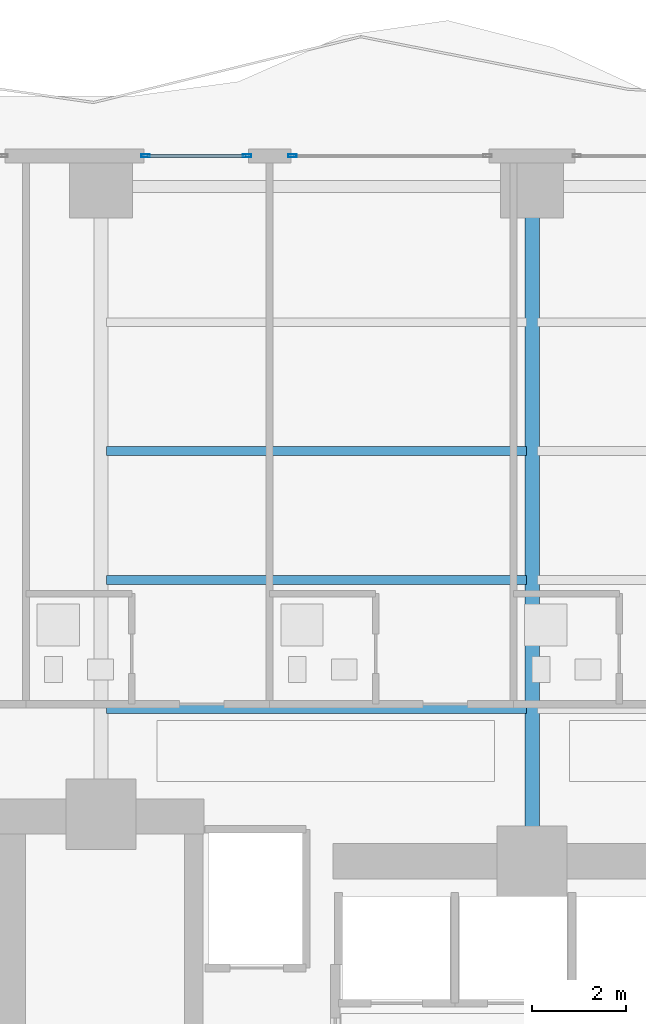
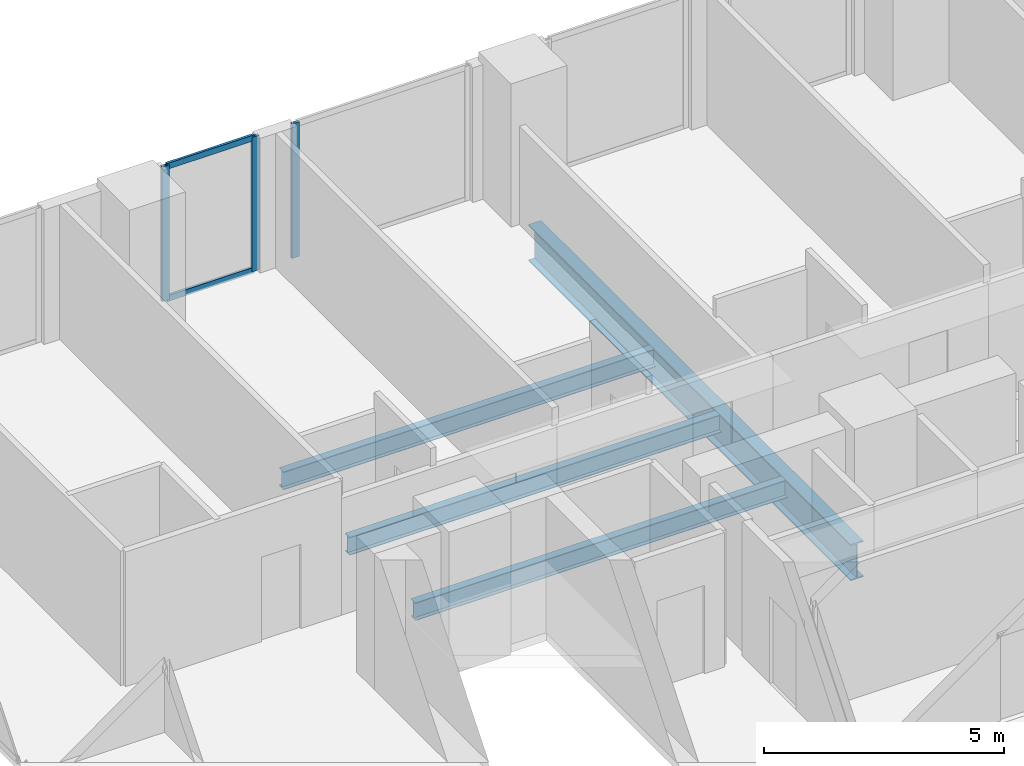
# One storey, part 15 of 29: 5 members, 4 beams, 2 elements without a shape of their own.
"""IFC4 building model written with IfcOpenShell, lengths in metres."""

import ifcopenshell
import ifcopenshell.guid

model = None  # the IFC model being written
_history = None  # IfcOwnerHistory: only IFC2X3 demands one
_inside = {}  # id of a spatial element -> (the spatial element, [elements in it])
_under = {}  # id of a project, library or spatial element -> (it, [spatial elements below it])
_declared = {}  # id of a project -> (the project, [libraries it declares])
_typed = {}  # id of a type object -> (the type object, [elements of that type])
_made_of = {}  # id of a material, layer set ... -> (it, [elements and type objects made of it])


def new_model(schema):
    """Start an empty IFC model of exactly this schema.

    Asked for "IFC4X3", IfcOpenShell would pick the latest addendum, in which some entities
    have other attributes; the version numbers below select the first issue.
    IFC2X3 requires an IfcOwnerHistory on every rooted entity: one is made here for all.
    """
    global model, _history
    if schema == "IFC4X3":
        model = ifcopenshell.file(schema_version=(4, 3, 0, 0))
    else:
        model = ifcopenshell.file(schema=schema)
    _inside.clear()
    _under.clear()
    _declared.clear()
    _typed.clear()
    _made_of.clear()
    _history = None
    if model.schema == "IFC2X3":
        org = make("IfcOrganization", Name="unknown")
        user = make(
            "IfcPersonAndOrganization",
            ThePerson=make("IfcPerson", FamilyName="unknown"),
            TheOrganization=org,
        )
        app = make(
            "IfcApplication",
            ApplicationDeveloper=org,
            Version="unknown",
            ApplicationFullName="unknown",
            ApplicationIdentifier="unknown",
        )
        _history = make(
            "IfcOwnerHistory",
            OwningUser=user,
            OwningApplication=app,
            ChangeAction="ADDED",
            CreationDate=0,
        )
    return model


def make(cls, **values):
    """One entity of the class cls with the attributes given. An attribute that is None is left unset."""
    return model.create_entity(
        cls, **{name: value for name, value in values.items() if value is not None}
    )


def rooted(cls, **values):
    """An entity with a GlobalId (a new one), such as an element, a storey or a relation."""
    return make(cls, GlobalId=ifcopenshell.guid.new(), OwnerHistory=_history, **values)


def si_unit(unit_type, name, prefix=None):
    """IfcSIUnit, for example si_unit("LENGTHUNIT", "METRE", prefix="MILLI")."""
    return make("IfcSIUnit", UnitType=unit_type, Prefix=prefix, Name=name)


def assignment(units):
    """IfcUnitAssignment: the units of a project."""
    return None if units is None else make("IfcUnitAssignment", Units=units)


def point(xyz):
    """IfcCartesianPoint."""
    return None if xyz is None else make("IfcCartesianPoint", Coordinates=xyz)


def direction(xyz):
    """IfcDirection."""
    return None if xyz is None else make("IfcDirection", DirectionRatios=xyz)


def frame(location, z_axis=None, x_axis=None):
    """IfcAxis2Placement3D, a coordinate frame: its origin and axes. An axis left out is left unset."""
    return make(
        "IfcAxis2Placement3D",
        Location=point(location),
        Axis=direction(z_axis),
        RefDirection=direction(x_axis),
    )


def frame_2d(location, x_axis=None):
    """IfcAxis2Placement2D, a coordinate frame in the plane: its origin and x axis."""
    return make(
        "IfcAxis2Placement2D", Location=point(location), RefDirection=direction(x_axis)
    )


def origin():
    """The frame at (0, 0, 0) with its axes left unset."""
    return frame((0.0, 0.0, 0.0))


def origin_2d():
    """The frame at (0, 0) in the plane with its x axis left unset."""
    return frame_2d((0.0, 0.0))


def place(relative_to, where):
    """IfcLocalPlacement: puts the frame where relative to a parent placement (None: the world)."""
    return make(
        "IfcLocalPlacement", PlacementRelTo=relative_to, RelativePlacement=where
    )


def context(
    kind, dimensions, precision=None, world=None, true_north=None, identifier=None
):
    """IfcGeometricRepresentationContext, for example the 3D "Model" context."""
    return make(
        "IfcGeometricRepresentationContext",
        ContextIdentifier=identifier,
        ContextType=kind,
        CoordinateSpaceDimension=dimensions,
        Precision=precision,
        WorldCoordinateSystem=world,
        TrueNorth=true_north,
    )


def subcontext(parent, identifier, kind, view, scale=None):
    """IfcGeometricRepresentationSubContext, for example "Body" below "Model"."""
    return make(
        "IfcGeometricRepresentationSubContext",
        ContextIdentifier=identifier,
        ContextType=kind,
        ParentContext=parent,
        TargetScale=scale,
        TargetView=view,
    )


def project(units=None, contexts=None):
    """IfcProject with its units and contexts."""
    return rooted(
        "IfcProject",
        Name="project",
        RepresentationContexts=contexts,
        UnitsInContext=assignment(units),
    )


def spatial(cls, under=None, at=None, **own):
    """A site, building, storey or space (cls), placed at a placement, below another one or the project."""
    s = rooted(cls, ObjectPlacement=at, **own)
    if under is not None:
        _under.setdefault(under.id(), (under, []))[1].append(s)
    return s


def profile(cls, at=None, kind="AREA", **sizes):
    """A parametric profile (cls). Its sizes go by their IFC names, for example OverallWidth=200.0."""
    return make(cls, ProfileType=kind, Position=at, **sizes)


def hollow_rectangle(**sizes):
    """IfcRectangleHollowProfileDef."""
    return profile("IfcRectangleHollowProfileDef", **sizes)


def i_section(**sizes):
    """IfcIShapeProfileDef."""
    return profile("IfcIShapeProfileDef", **sizes)


def extrude(swept, where, along, depth):
    """IfcExtrudedAreaSolid: the profile swept, set in the frame where, extruded along a direction by depth."""
    return make(
        "IfcExtrudedAreaSolid",
        SweptArea=swept,
        Position=where,
        ExtrudedDirection=direction(along),
        Depth=depth,
    )


def shape(context_of_items, identifier, shape_type, items):
    """IfcShapeRepresentation: the items that make up one representation, for example the "Body"."""
    return make(
        "IfcShapeRepresentation",
        ContextOfItems=context_of_items,
        RepresentationIdentifier=identifier,
        RepresentationType=shape_type,
        Items=items,
    )


def material(Name=None, Category=None):
    """IfcMaterial."""
    return make("IfcMaterial", Name=Name, Category=Category)


def layer(
    of_material, thickness, ventilated=None, Name=None, Category=None, Priority=None
):
    """IfcMaterialLayer: one layer of a wall or slab, of a material (None: an air gap)."""
    return make(
        "IfcMaterialLayer",
        Material=of_material,
        LayerThickness=thickness,
        IsVentilated=ventilated,
        Name=Name,
        Category=Category,
        Priority=Priority,
    )


def layer_set(layers, Name=None):
    """IfcMaterialLayerSet."""
    return make("IfcMaterialLayerSet", MaterialLayers=layers, LayerSetName=Name)


def material_profile(
    of_material, cross_section, Name=None, Category=None, Priority=None
):
    """IfcMaterialProfile: a cross section and its material."""
    return make(
        "IfcMaterialProfile",
        Name=Name,
        Material=of_material,
        Profile=cross_section,
        Priority=Priority,
        Category=Category,
    )


def profile_set(profiles, Name=None, composite=None):
    """IfcMaterialProfileSet."""
    return make(
        "IfcMaterialProfileSet",
        Name=Name,
        MaterialProfiles=profiles,
        CompositeProfile=composite,
    )


def made_of(thing, what):
    """Note that an element or type object is made of a material, layer set ...; save() writes the relation."""
    if what is not None:
        _made_of.setdefault(what.id(), (what, []))[1].append(thing)
    return thing


def type_object(cls, material=None, **own):
    """A type object (cls), such as IfcWallType, which elements share."""
    return made_of(rooted(cls, **own), material)


def element(
    cls,
    number,
    at=None,
    inside=None,
    cuts=None,
    type_object=None,
    material=None,
    context=None,
    identifier="Body",
    shape_type=None,
    held_by="IfcProductDefinitionShape",
    body=None,
    shapes=None,
    **own,
):
    """One element of the class cls, such as IfcWall. Its Tag is "e" and its number.

    at: its placement. inside: the storey or other place that contains it. cuts: it is an
    opening in that element (IfcRelVoidsElement). A single representation is given by context,
    identifier, shape_type and body (its items); several are given by shapes. held_by: the class
    of the entity that holds the representations. save() writes the other relations.
    """
    e = rooted(cls, Tag="e%d" % number, ObjectPlacement=at, **own)
    if body is not None:
        shapes = [shape(context, identifier, shape_type, body)]
    if shapes is not None:
        e.Representation = make(held_by, Representations=shapes)
    if inside is not None:
        _inside.setdefault(inside.id(), (inside, []))[1].append(e)
    if cuts is not None:
        rooted(
            "IfcRelVoidsElement", RelatingBuildingElement=cuts, RelatedOpeningElement=e
        )
    if type_object is not None:
        _typed.setdefault(type_object.id(), (type_object, []))[1].append(e)
    return made_of(e, material)


def aggregate(whole, parts):
    """IfcRelAggregates: a whole, such as a stair, and the parts it consists of."""
    return rooted("IfcRelAggregates", RelatingObject=whole, RelatedObjects=parts)


def save(model, path):
    """Write the relations noted so far, then the file.

    IfcRelAggregates (storeys below a building ...), IfcRelContainedInSpatialStructure (elements
    in a storey), IfcRelDefinesByType, IfcRelAssociatesMaterial and IfcRelDeclares: one each for
    every whole, place, type object, material and project.
    """
    for whole, parts in _under.values():
        aggregate(whole, parts)
    for where, things in _inside.values():
        rooted(
            "IfcRelContainedInSpatialStructure",
            RelatedElements=things,
            RelatingStructure=where,
        )
    for kind, things in _typed.values():
        rooted("IfcRelDefinesByType", RelatedObjects=things, RelatingType=kind)
    for what, things in _made_of.values():
        rooted("IfcRelAssociatesMaterial", RelatedObjects=things, RelatingMaterial=what)
    for by, libraries in _declared.values():
        rooted("IfcRelDeclares", RelatingContext=by, RelatedDefinitions=libraries)
    model.write(path)


model = new_model("IFC4")

# Units and contexts
model_context = context("Model", 3, precision=1e-05, world=origin(), true_north=direction((0.0, 1.0)))
body_context = subcontext(model_context, "Body", "Model", "MODEL_VIEW")
ifc_project = project(units=[si_unit("LENGTHUNIT", "METRE"), si_unit("AREAUNIT", "SQUARE_METRE"), si_unit("VOLUMEUNIT", "CUBIC_METRE"), si_unit("PLANEANGLEUNIT", "RADIAN"), si_unit("MASSUNIT", "GRAM", prefix="KILO")], contexts=[model_context])

# Site, building, storey
site_placement = place(None, origin())
site = spatial("IfcSite", under=ifc_project, at=site_placement, CompositionType="ELEMENT")
building_placement = place(site_placement, origin())
building = spatial("IfcBuilding", under=site, at=building_placement, Name="Zuhayl Quay Hotel", CompositionType="ELEMENT")
storey_placement = place(building_placement, frame((0.0, 0.0, 150.39990234375)))
storey = spatial("IfcBuildingStorey", under=building, at=storey_placement, Name="L38", CompositionType="ELEMENT", Elevation=150.39990234375)

# Beams
ifc_material_1 = material(Name="Steel ASTM A992 Grade 50", Category="steel")
ifc_material_profile_1 = material_profile(ifc_material_1, i_section(OverallWidth=0.18994140625, OverallDepth=0.45703125, WebThickness=0.009033203125, FlangeThickness=0.014404296875, at=origin_2d()), Name="W18X50")
ifc_profile_set_1 = profile_set([ifc_material_profile_1], Name="Steel ASTM A992 Grade 50")
beam_type_1 = type_object("IfcBeamType", Name="BM_J2_W18X50", PredefinedType="JOIST", material=ifc_profile_set_1)
for number, where, z_axis, x_axis, name in (
    (1, (-13.680908203125, 16.60009765625, -0.448486328125), (1.0, 0.0, 0.0), (0.0, 1.0, 0.0), "L38 Floor Beam FJ_L38_1_1"),
    (2, (-13.680908203125, 19.35009765625, -0.448486328125), (1.0, 0.0, 0.0), (0.0, 1.0, 0.0), "L38 Floor Beam FJ_L38_2_1"),
    (3, (-13.680908203125, 22.10009765625, -0.448486328125), (1.0, 0.0, 0.0), (0.0, 1.0, 0.0), "L38 Floor Beam FJ_L38_3_1"),
):
    element("IfcBeam", number, at=place(storey_placement, frame(where, z_axis=z_axis, x_axis=x_axis)), inside=storey, type_object=beam_type_1, Name=name, PredefinedType="JOIST", context=body_context, shape_type="SweptSolid", body=[
        extrude(i_section(OverallWidth=0.18994140625, OverallDepth=0.45703125, WebThickness=0.009033203125, FlangeThickness=0.014404296875, at=origin_2d()), origin(), (0.0, 0.0, 1.0), 8.9619140625),
    ])
ifc_material_profile_2 = material_profile(ifc_material_1, i_section(OverallWidth=0.306884765625, OverallDepth=0.927001953125, WebThickness=0.019287109375, FlangeThickness=0.031982421875, at=origin_2d()), Name="W36X194")
ifc_profile_set_2 = profile_set([ifc_material_profile_2], Name="Steel ASTM A992 Grade 50")
beam_type_2 = type_object("IfcBeamType", Name="BM_PG2_W36X194", PredefinedType="BEAM", material=ifc_profile_set_2)
beam_placement = place(storey_placement, frame((-4.60009765625, 13.800048828125, -0.683349609375), z_axis=(0.0, 1.0, 0.0), x_axis=(-1.0, 0.0, 0.0)))
element("IfcBeam", 4, at=beam_placement, inside=storey, type_object=beam_type_2, Name="L38 Floor Beam FG_N_L38_2", PredefinedType="BEAM", context=body_context, shape_type="SweptSolid", body=[
    extrude(i_section(OverallWidth=0.306884765625, OverallDepth=0.927001953125, WebThickness=0.019287109375, FlangeThickness=0.031982421875, at=origin_2d()), origin(), (0.0, 0.0, 1.0), 13.449951171875),
])

# Curtain wall, members
ifc_material_2 = material(Name="Anodised Aluminium 6063-T6", Category="aluminium")
ifc_layer = layer(ifc_material_2, 0.179931640625, Name="Anodised Aluminium 6063-T6", Category="aluminium")
ifc_layer_set = layer_set([ifc_layer], Name="Anodised Aluminium 6063-T6")
curtain_wall_type = type_object("IfcCurtainWallType", Name="CW_SYS_Z2", PredefinedType="USERDEFINED", material=ifc_layer_set)
curtain_wall_1_placement = place(storey_placement, origin())
curtain_wall_1 = element("IfcCurtainWall", 5, at=curtain_wall_1_placement, inside=storey, type_object=curtain_wall_type, Name="L38 Curtain Wall ENV_L38_N_CW2", ObjectType="UNITISED CURTAIN WALL", PredefinedType="USERDEFINED")
ifc_material_3 = material(Name="Black-anodised aluminium 6063-T6", Category="aluminium")
ifc_material_profile_3 = material_profile(ifc_material_3, hollow_rectangle(XDim=0.06494140625, YDim=0.179931640625, WallThickness=0.00341796875, at=origin_2d()), Name="ALU180X65")
ifc_profile_set_3 = profile_set([ifc_material_profile_3], Name="Black-anodised aluminium 6063-T6")
member_type_1 = type_object("IfcMemberType", Name="MB_CW_MUL_180", PredefinedType="MULLION", material=ifc_profile_set_3)
member_1_placement = place(storey_placement, frame((-12.847412109375, 28.39990234375, 0.0), z_axis=(0.0, 0.0, 1.0), x_axis=(0.0, 1.0, 0.0)))
member_1 = element("IfcMember", 6, at=member_1_placement, type_object=member_type_1, Name="CW-Z2 mullion 1", PredefinedType="MULLION", context=body_context, shape_type="SweptSolid", body=[
    extrude(hollow_rectangle(XDim=0.06494140625, YDim=0.179931640625, WallThickness=0.00341796875, at=origin_2d()), origin(), (0.0, 0.0, 1.0), 3.43017578125),
])
member_2_placement = place(storey_placement, frame((-10.6826171875, 28.39990234375, 0.0), z_axis=(0.0, 0.0, 1.0), x_axis=(0.0, 1.0, 0.0)))
member_2 = element("IfcMember", 7, at=member_2_placement, type_object=member_type_1, Name="CW-Z2 mullion 2", PredefinedType="MULLION", context=body_context, shape_type="SweptSolid", body=[
    extrude(hollow_rectangle(XDim=0.06494140625, YDim=0.179931640625, WallThickness=0.00341796875, at=origin_2d()), origin(), (0.0, 0.0, 1.0), 3.43017578125),
])

# Curtain wall, member
curtain_wall_2_placement = place(storey_placement, origin())
curtain_wall_2 = element("IfcCurtainWall", 8, at=curtain_wall_2_placement, inside=storey, type_object=curtain_wall_type, Name="L38 Curtain Wall ENV_L38_N_CW3", ObjectType="UNITISED CURTAIN WALL", PredefinedType="USERDEFINED")
member_3_placement = place(storey_placement, frame((-9.717529296875, 28.39990234375, 0.0), z_axis=(0.0, 0.0, 1.0), x_axis=(0.0, 1.0, 0.0)))
member_3 = element("IfcMember", 9, at=member_3_placement, type_object=member_type_1, Name="CW-Z2 mullion 1", PredefinedType="MULLION", context=body_context, shape_type="SweptSolid", body=[
    extrude(hollow_rectangle(XDim=0.06494140625, YDim=0.179931640625, WallThickness=0.00341796875, at=origin_2d()), origin(), (0.0, 0.0, 1.0), 3.43017578125),
])
aggregate(curtain_wall_2, [member_3])

# Member
ifc_material_profile_4 = material_profile(ifc_material_3, hollow_rectangle(XDim=0.06005859375, YDim=0.14990234375, WallThickness=0.00341796875, at=origin_2d()), Name="ALU150X60")
ifc_profile_set_4 = profile_set([ifc_material_profile_4], Name="Black-anodised aluminium 6063-T6")
member_type_2 = type_object("IfcMemberType", Name="MB_CW_TRN_150", PredefinedType="USERDEFINED", material=ifc_profile_set_4)
member_4_placement = place(storey_placement, frame((-12.81494140625, 28.39990234375, 0.030029296875), z_axis=(1.0, 0.0, 0.0), x_axis=(0.0, 1.0, 0.0)))
member_4 = element("IfcMember", 10, at=member_4_placement, type_object=member_type_2, Name="CW-Z2 transom 1.1", ObjectType="TRANSOM", PredefinedType="USERDEFINED", context=body_context, shape_type="SweptSolid", body=[
    extrude(hollow_rectangle(XDim=0.06005859375, YDim=0.14990234375, WallThickness=0.00341796875, at=origin_2d()), origin(), (0.0, 0.0, 1.0), 2.099853515625),
])

member_5_placement = place(storey_placement, frame((-12.81494140625, 28.39990234375, 3.400146484375), z_axis=(1.0, 0.0, 0.0), x_axis=(0.0, 1.0, 0.0)))
member_5 = element("IfcMember", 11, at=member_5_placement, type_object=member_type_2, Name="CW-Z2 transom 1.2", ObjectType="TRANSOM", PredefinedType="USERDEFINED", context=body_context, shape_type="SweptSolid", body=[
    extrude(hollow_rectangle(XDim=0.06005859375, YDim=0.14990234375, WallThickness=0.00341796875, at=origin_2d()), origin(), (0.0, 0.0, 1.0), 2.099853515625),
])

aggregate(curtain_wall_1, [member_1, member_2, member_4, member_5])

save(model, "model.ifc")
